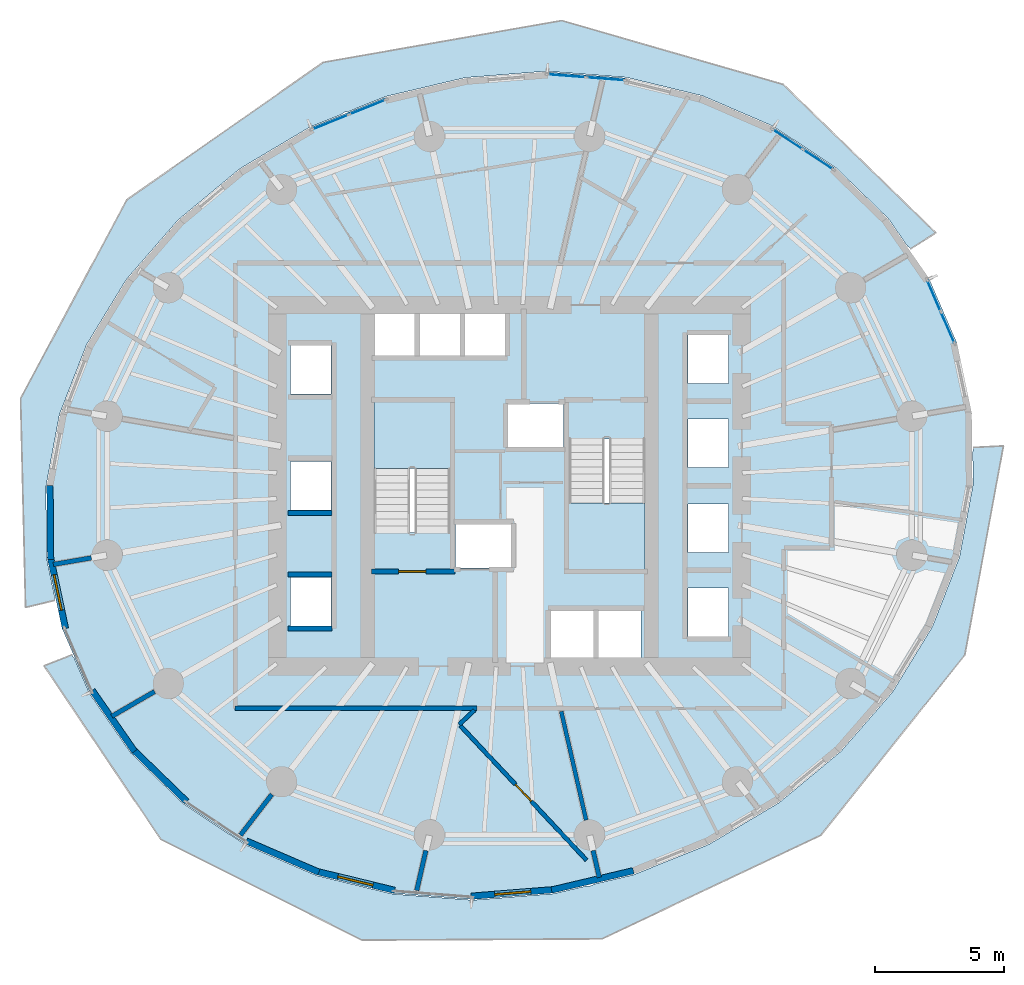
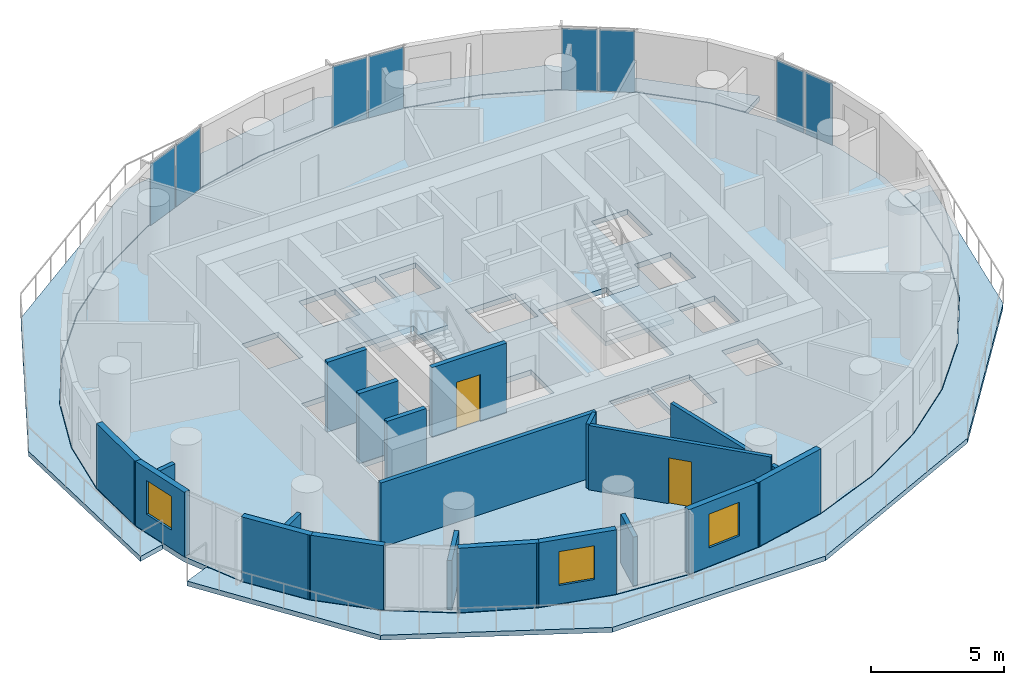
# One storey, part 6 of 14: 21 walls, 8 plates, 5 slabs, 3 windows, 2 doors, 5 openings, 6 elements without a shape of their own.
"""IFC4 building model written with IfcOpenShell, lengths in metres."""

from ifc_helpers import new_model, si_unit, direction, frame, frame_2d, origin, origin_2d, place, context, subcontext, project, spatial, polyline, rectangle, outline, extrude, material, layer, layer_set, type_object, element, fill, aggregate, save


model = new_model("IFC4")

# Units and contexts
model_context = context("Model", 3, precision=1e-05, world=origin(), true_north=direction((0.0, 1.0)))
body_context = subcontext(model_context, "Body", "Model", "MODEL_VIEW")
ifc_project = project(units=[si_unit("LENGTHUNIT", "METRE"), si_unit("AREAUNIT", "SQUARE_METRE"), si_unit("VOLUMEUNIT", "CUBIC_METRE"), si_unit("PLANEANGLEUNIT", "RADIAN"), si_unit("MASSUNIT", "GRAM", prefix="KILO")], contexts=[model_context])

# Site, building, storey
site_placement = place(None, origin())
site = spatial("IfcSite", under=ifc_project, at=site_placement, CompositionType="ELEMENT")
building_placement = place(site_placement, origin())
building = spatial("IfcBuilding", under=site, at=building_placement, Name="Veldorim Arch Residences", CompositionType="ELEMENT")
storey_placement = place(building_placement, frame((0.0, 0.0, 77.280029296875)))
storey = spatial("IfcBuildingStorey", under=building, at=storey_placement, Name="L22", CompositionType="ELEMENT", Elevation=77.280029296875)

# Slabs
ifc_material_1 = material(Name="Concrete C40/50", Category="concrete")
ifc_layer_1 = layer(ifc_material_1, 0.219970703125, Name="Planted Crescent Cantilever Balcony Slab 220")
ifc_layer_set_1 = layer_set([ifc_layer_1], Name="Concrete C40/50")
slab_type_1 = type_object("IfcSlabType", Name="Planted Crescent Cantilever Balcony Slab 220", PredefinedType="FLOOR", material=ifc_layer_set_1)
slab_1_placement = place(storey_placement, frame((0.0, 0.0, -0.219970703125)))
element("IfcSlab", 1, at=slab_1_placement, inside=storey, type_object=slab_type_1, Name="L22 planted crescent balcony slab A", PredefinedType="FLOOR", context=body_context, shape_type="SweptSolid", body=[
    extrude(outline(polyline([(47.413818359375, 33.292236328125), (46.6796875, 34.348876953125), (44.642333984375, 36.324462890625), (42.220703125, 37.925537109375), (39.489013671875, 39.103271484375), (36.529541015625, 39.822265625), (33.432861328125, 40.060302734375), (30.292724609375, 39.810791015625), (27.204345703125, 39.0810546875), (25.777099609375, 38.5048828125), (25.603271484375, 38.47216796875), (25.46630859375, 38.37939453125), (24.261962890625, 37.89306640625), (21.55419921875, 36.283203125), (19.163818359375, 34.300048828125), (17.163330078125, 32.004150390625), (15.61328125, 29.464599609375), (14.561279296875, 26.759033203125), (14.039306640625, 23.969482421875), (14.06298828125, 21.180419921875), (14.369384765625, 19.72412109375), (14.36279296875, 19.554443359375), (13.2451171875, 19.28369140625), (13.0537109375, 27.373046875), (17.167236328125, 35.07666015625), (24.781494140625, 40.40478515625), (34.025634765625, 42.0234375), (42.614013671875, 39.547119140625), (48.51513671875, 33.797119140625), (47.544677734375, 33.18017578125), (47.413818359375, 33.292236328125)])), origin(), (0.0, 0.0, 1.0), 0.219970703125),
])
slab_2_placement = place(storey_placement, frame((0.0, 0.0, -0.219970703125)))
element("IfcSlab", 2, at=slab_2_placement, inside=storey, type_object=slab_type_1, Name="L22 planted crescent balcony slab B", PredefinedType="FLOOR", context=body_context, shape_type="SweptSolid", body=[
    extrude(outline(polyline([(15.137939453125, 17.307373046875), (15.728759765625, 15.941650390625), (17.3203125, 13.651123046875), (19.357666015625, 11.675537109375), (21.779296875, 10.074462890625), (24.510986328125, 8.896728515625), (27.470458984375, 8.177734375), (30.567138671875, 7.939697265625), (33.707275390625, 8.189208984375), (34.971435546875, 8.488037109375), (35.13671875, 8.4912109375), (35.297607421875, 8.56494140625), (36.795654296875, 8.9189453125), (39.738037109375, 10.10693359375), (42.44580078125, 11.716796875), (44.836181640625, 13.699951171875), (46.836669921875, 15.995849609375), (48.38671875, 18.535400390625), (49.438720703125, 21.240966796875), (49.960693359375, 24.030517578125), (49.949951171875, 25.316650390625), (49.991943359375, 25.48388671875), (51.140380859375, 25.540771484375), (49.64404296875, 17.438720703125), (44.0634765625, 10.456787109375), (35.582275390625, 6.43896484375), (26.2890625, 6.390869140625), (18.4814453125, 10.303466796875), (13.965576171875, 17.017578125), (15.0341796875, 17.442138671875), (15.137939453125, 17.307373046875)])), origin(), (0.0, 0.0, 1.0), 0.219970703125),
])

# Stair, slab
ifc_material_2 = material(Name="Concrete C40/50", Category="concrete")
stair_type = type_object("IfcStairType", Name="Reinforced Concrete Dogleg Exit Staircase", PredefinedType="HALF_TURN_STAIR", material=ifc_material_2)
stair_1_placement = place(storey_placement, origin())
stair_1 = element("IfcStair", 3, at=stair_1_placement, inside=storey, type_object=stair_type, Name="L22 Exit Staircase ST-1", PredefinedType="HALF_TURN_STAIR")
ifc_material_3 = material(Name="Concrete C40/50", Category="concrete")
ifc_layer_2 = layer(ifc_material_3, 0.199951171875, Name="Reinforced Concrete Stair Landing 200")
ifc_layer_set_2 = layer_set([ifc_layer_2], Name="Concrete C40/50")
slab_type_2 = type_object("IfcSlabType", Name="Reinforced Concrete Stair Landing 200", PredefinedType="LANDING", material=ifc_layer_set_2)
slab_3_placement = place(storey_placement, frame((0.0, 0.0, 1.39990234375)))
slab_3 = element("IfcSlab", 4, at=slab_3_placement, type_object=slab_type_2, Name="ST-1 landing 1", PredefinedType="LANDING", context=body_context, shape_type="SweptSolid", body=[
    extrude(outline(polyline([(29.7099609375, 24.669921875), (29.7099609375, 27.25), (26.75, 27.25), (26.75, 24.669921875), (29.7099609375, 24.669921875)])), origin(), (0.0, 0.0, 1.0), 0.199951171875),
])
aggregate(stair_1, [slab_3])

stair_2_placement = place(storey_placement, origin())
stair_2 = element("IfcStair", 5, at=stair_2_placement, inside=storey, type_object=stair_type, Name="L22 Exit Staircase ST-2", PredefinedType="HALF_TURN_STAIR")
slab_4_placement = place(storey_placement, frame((0.0, 0.0, 1.39990234375)))
slab_4 = element("IfcSlab", 6, at=slab_4_placement, type_object=slab_type_2, Name="ST-2 landing 1", PredefinedType="LANDING", context=body_context, shape_type="SweptSolid", body=[
    extrude(outline(polyline([(34.2900390625, 23.330078125), (34.2900390625, 20.75), (37.25, 20.75), (37.25, 23.330078125), (34.2900390625, 23.330078125)])), origin(), (0.0, 0.0, 1.0), 0.199951171875),
])
aggregate(stair_2, [slab_4])

# Slab
ifc_material_4 = material(Name="Concrete C40/50", Category="concrete")
ifc_layer_3 = layer(ifc_material_4, 0.239990234375, Name="Typical Residential Floor Slab 240")
ifc_layer_set_3 = layer_set([ifc_layer_3], Name="Concrete C40/50")
slab_type_3 = type_object("IfcSlabType", Name="Typical Residential Floor Slab 240", PredefinedType="FLOOR", material=ifc_layer_set_3)
slab_5_placement = place(storey_placement, frame((0.0, 0.0, -0.239990234375)))
element("IfcSlab", 7, at=slab_5_placement, inside=storey, type_object=slab_type_3, Name="L22 tower structural floor slab", PredefinedType="FLOOR", context=body_context, shape_type="SweptSolid", body=[
    extrude(outline(polyline([(49.34423828125, 29.51513671875), (48.249267578125, 32.046142578125), (46.66064453125, 34.33251953125), (44.626708984375, 36.304931640625), (42.208740234375, 37.9033203125), (39.48095703125, 39.07958984375), (36.525634765625, 39.79736328125), (33.432861328125, 40.035400390625), (30.296630859375, 39.785888671875), (27.2119140625, 39.05712890625), (24.27294921875, 37.87060546875), (21.568603515625, 36.2626953125), (19.181396484375, 34.2822265625), (17.18359375, 31.9892578125), (15.635986328125, 29.45361328125), (14.58544921875, 26.752197265625), (14.064208984375, 23.96728515625), (14.087890625, 21.18310546875), (14.65576171875, 18.48486328125), (15.750732421875, 15.953857421875), (17.33935546875, 13.66748046875), (19.373291015625, 11.695068359375), (21.791259765625, 10.0966796875), (24.51904296875, 8.92041015625), (27.474365234375, 8.20263671875), (30.567138671875, 7.964599609375), (33.703369140625, 8.214111328125), (36.7880859375, 8.94287109375), (39.72705078125, 10.12939453125), (42.431396484375, 11.7373046875), (44.818603515625, 13.7177734375), (46.81640625, 16.0107421875), (48.364013671875, 18.54638671875), (49.41455078125, 21.247802734375), (49.935791015625, 24.03271484375), (49.912109375, 26.81689453125), (49.34423828125, 29.51513671875)]), holes=[polyline([(23.510009765625, 20.43994140625), (25.090087890625, 20.43994140625), (25.090087890625, 18.56005859375), (23.510009765625, 18.56005859375), (23.510009765625, 20.43994140625)]), polyline([(29.909912109375, 22.544921875), (32.090087890625, 22.544921875), (32.090087890625, 20.81494140625), (29.909912109375, 20.81494140625), (29.909912109375, 22.544921875)]), polyline([(23.510009765625, 24.93994140625), (25.090087890625, 24.93994140625), (25.090087890625, 23.06005859375), (23.510009765625, 23.06005859375), (23.510009765625, 24.93994140625)]), polyline([(26.75, 27.25), (29.7099609375, 27.25), (29.7099609375, 22.195068359375), (26.75, 22.195068359375), (26.75, 27.25)]), polyline([(23.510009765625, 29.43994140625), (25.090087890625, 29.43994140625), (25.090087890625, 27.56005859375), (23.510009765625, 27.56005859375), (23.510009765625, 29.43994140625)]), polyline([(26.760009765625, 30.7900390625), (28.340087890625, 30.7900390625), (28.340087890625, 28.909912109375), (26.760009765625, 28.909912109375), (26.760009765625, 30.7900390625)]), polyline([(28.510009765625, 30.7900390625), (30.090087890625, 30.7900390625), (30.090087890625, 28.909912109375), (28.510009765625, 28.909912109375), (28.510009765625, 30.7900390625)]), polyline([(30.260009765625, 30.7900390625), (31.840087890625, 30.7900390625), (31.840087890625, 28.909912109375), (30.260009765625, 28.909912109375), (30.260009765625, 30.7900390625)]), polyline([(33.610107421875, 19.2900390625), (35.2900390625, 19.2900390625), (35.2900390625, 17.2099609375), (33.610107421875, 17.2099609375), (33.610107421875, 19.2900390625)]), polyline([(35.409912109375, 19.2900390625), (37.090087890625, 19.2900390625), (37.090087890625, 17.2099609375), (35.409912109375, 17.2099609375), (35.409912109375, 19.2900390625)]), polyline([(38.909912109375, 20.0400390625), (40.489990234375, 20.0400390625), (40.489990234375, 18.159912109375), (38.909912109375, 18.159912109375), (38.909912109375, 20.0400390625)]), polyline([(38.909912109375, 23.2900390625), (40.489990234375, 23.2900390625), (40.489990234375, 21.409912109375), (38.909912109375, 21.409912109375), (38.909912109375, 23.2900390625)]), polyline([(34.2900390625, 25.804931640625), (37.25, 25.804931640625), (37.25, 20.75), (34.2900390625, 20.75), (34.2900390625, 25.804931640625)]), polyline([(38.909912109375, 26.590087890625), (40.489990234375, 26.590087890625), (40.489990234375, 24.7099609375), (38.909912109375, 24.7099609375), (38.909912109375, 26.590087890625)]), polyline([(31.909912109375, 27.18505859375), (34.090087890625, 27.18505859375), (34.090087890625, 25.455078125), (31.909912109375, 25.455078125), (31.909912109375, 27.18505859375)]), polyline([(38.909912109375, 29.840087890625), (40.489990234375, 29.840087890625), (40.489990234375, 27.9599609375), (38.909912109375, 27.9599609375), (38.909912109375, 29.840087890625)])]), origin(), (0.0, 0.0, 1.0), 0.239990234375),
])

# Curtain wall, plates
ifc_material_5 = material(Name="Aluminium", Category="aluminium")
curtain_wall_type = type_object("IfcCurtainWallType", Name="Zone 2 Solar-Control Unitised Curtain Wall", PredefinedType="NOTDEFINED", material=ifc_material_5)
curtain_wall_1_placement = place(storey_placement, origin())
curtain_wall_1 = element("IfcCurtainWall", 8, at=curtain_wall_1_placement, inside=storey, type_object=curtain_wall_type, Name="L22 unitised curtain wall bay 01", PredefinedType="NOTDEFINED")
ifc_material_6 = material(Name="Laminated Low-E Glass", Category="glass")
ifc_layer_4 = layer(ifc_material_6, 0.02587890625, Name="Zone 2 Solar-Control Unitised Curtain Wall Glazing Panel 26")
ifc_layer_set_4 = layer_set([ifc_layer_4], Name="Laminated Low-E Glass")
plate_type = type_object("IfcPlateType", Name="Zone 2 Solar-Control Unitised Curtain Wall Glazing Panel 26", PredefinedType="CURTAIN_PANEL", material=ifc_layer_set_4)
plate_1_placement = place(storey_placement, frame((48.44677734375, 31.36279296875, 0.06494140625), z_axis=(0.0, 0.0, 1.0), x_axis=(0.397050688615, -0.917796682643, 0.0)))
plate_1 = element("IfcPlate", 9, at=plate_1_placement, type_object=plate_type, Name="CW-Z2 panel 1.1", PredefinedType="CURTAIN_PANEL", context=body_context, shape_type="SweptSolid", body=[
    extrude(rectangle(XDim=1.28125, YDim=0.02587890625, at=origin_2d()), origin(), (0.0, 0.0, 1.0), 2.830078125),
])
plate_2_placement = place(storey_placement, frame((48.9814453125, 30.127197265625, 0.06494140625), z_axis=(0.0, 0.0, 1.0), x_axis=(0.397050688615, -0.917796682643, 0.0)))
plate_2 = element("IfcPlate", 10, at=plate_2_placement, type_object=plate_type, Name="CW-Z2 panel 2.1", PredefinedType="CURTAIN_PANEL", context=body_context, shape_type="SweptSolid", body=[
    extrude(rectangle(XDim=1.28125, YDim=0.02587890625, at=origin_2d()), origin(), (0.0, 0.0, 1.0), 2.830078125),
])
aggregate(curtain_wall_1, [plate_1, plate_2])

curtain_wall_2_placement = place(storey_placement, origin())
curtain_wall_2 = element("IfcCurtainWall", 11, at=curtain_wall_2_placement, inside=storey, type_object=curtain_wall_type, Name="L22 unitised curtain wall bay 04", PredefinedType="NOTDEFINED")
plate_3_placement = place(storey_placement, frame((42.777099609375, 37.419677734375, 0.06494140625), z_axis=(0.0, 0.0, 1.0), x_axis=(0.834172634224, -0.551503414596, 0.0)))
plate_3 = element("IfcPlate", 12, at=plate_3_placement, type_object=plate_type, Name="CW-Z2 panel 1.1", PredefinedType="CURTAIN_PANEL", context=body_context, shape_type="SweptSolid", body=[
    extrude(rectangle(XDim=1.351806640625, YDim=0.02587890625, at=origin_2d()), origin(), (0.0, 0.0, 1.0), 2.830078125),
])
plate_4_placement = place(storey_placement, frame((43.958984375, 36.638427734375, 0.06494140625), z_axis=(0.0, 0.0, 1.0), x_axis=(0.834172634224, -0.551503414596, 0.0)))
plate_4 = element("IfcPlate", 13, at=plate_4_placement, type_object=plate_type, Name="CW-Z2 panel 2.1", PredefinedType="CURTAIN_PANEL", context=body_context, shape_type="SweptSolid", body=[
    extrude(rectangle(XDim=1.351806640625, YDim=0.02587890625, at=origin_2d()), origin(), (0.0, 0.0, 1.0), 2.830078125),
])
aggregate(curtain_wall_2, [plate_3, plate_4])

curtain_wall_3_placement = place(storey_placement, origin())
curtain_wall_3 = element("IfcCurtainWall", 14, at=curtain_wall_3_placement, inside=storey, type_object=curtain_wall_type, Name="L22 unitised curtain wall bay 07", PredefinedType="NOTDEFINED")
plate_5_placement = place(storey_placement, frame((34.21533203125, 39.884765625, 0.06494140625), z_axis=(0.0, 0.0, 1.0), x_axis=(0.997054485502, -0.076696498885, 0.0)))
plate_5 = element("IfcPlate", 15, at=plate_5_placement, type_object=plate_type, Name="CW-Z2 panel 1.1", PredefinedType="CURTAIN_PANEL", context=body_context, shape_type="SweptSolid", body=[
    extrude(rectangle(XDim=1.453369140625, YDim=0.02587890625, at=origin_2d()), origin(), (0.0, 0.0, 1.0), 2.830078125),
])
plate_6_placement = place(storey_placement, frame((35.729248046875, 39.768310546875, 0.06494140625), z_axis=(0.0, 0.0, 1.0), x_axis=(0.997054485502, -0.076696498885, 0.0)))
plate_6 = element("IfcPlate", 16, at=plate_6_placement, type_object=plate_type, Name="CW-Z2 panel 2.1", PredefinedType="CURTAIN_PANEL", context=body_context, shape_type="SweptSolid", body=[
    extrude(rectangle(XDim=1.453369140625, YDim=0.02587890625, at=origin_2d()), origin(), (0.0, 0.0, 1.0), 2.830078125),
])
aggregate(curtain_wall_3, [plate_5, plate_6])

curtain_wall_4_placement = place(storey_placement, origin())
curtain_wall_4 = element("IfcCurtainWall", 17, at=curtain_wall_4_placement, inside=storey, type_object=curtain_wall_type, Name="L22 unitised curtain wall bay 10", PredefinedType="NOTDEFINED")
plate_7_placement = place(storey_placement, frame((25.056396484375, 38.08984375, 0.06494140625), z_axis=(0.0, 0.0, 1.0), x_axis=(0.927286072366, 0.374353496038, 0.0)))
plate_7 = element("IfcPlate", 18, at=plate_7_placement, type_object=plate_type, Name="CW-Z2 panel 1.1", PredefinedType="CURTAIN_PANEL", context=body_context, shape_type="SweptSolid", body=[
    extrude(rectangle(XDim=1.4873046875, YDim=0.02587890625, at=origin_2d()), origin(), (0.0, 0.0, 1.0), 2.830078125),
])
plate_8_placement = place(storey_placement, frame((26.495849609375, 38.6708984375, 0.06494140625), z_axis=(0.0, 0.0, 1.0), x_axis=(0.927286072366, 0.374353496038, 0.0)))
plate_8 = element("IfcPlate", 19, at=plate_8_placement, type_object=plate_type, Name="CW-Z2 panel 2.1", PredefinedType="CURTAIN_PANEL", context=body_context, shape_type="SweptSolid", body=[
    extrude(rectangle(XDim=1.4873046875, YDim=0.02587890625, at=origin_2d()), origin(), (0.0, 0.0, 1.0), 2.830078125),
])
aggregate(curtain_wall_4, [plate_7, plate_8])

# Walls
ifc_material_7 = material(Name="Lightweight Masonry Block & Gypsum", Category="masonry")
ifc_layer_5 = layer(ifc_material_7, 0.179931640625, Name="Compartment & Corridor Fire-Rated Party Wall 180")
ifc_layer_set_5 = layer_set([ifc_layer_5], Name="Lightweight Masonry Block & Gypsum")
wall_type_1 = type_object("IfcWallType", Name="Compartment & Corridor Fire-Rated Party Wall 180", PredefinedType="PARTITIONING", material=ifc_layer_set_5)
wall_1_placement = place(storey_placement, frame((15.79443359375, 21.202392578125, 0.0), z_axis=(0.0, 0.0, 1.0), x_axis=(-0.985414821555, -0.170169413997, 0.0)))
element("IfcWall", 20, at=wall_1_placement, inside=storey, type_object=wall_type_1, Name="L22 interior wall WL-PIER-L22-09", PredefinedType="PARTITIONING", context=body_context, shape_type="SweptSolid", body=[
    extrude(rectangle(XDim=1.494873046875, YDim=0.179931640625, at=frame_2d((0.74755859375, 0.0))), origin(), (0.0, 0.0, 1.0), 2.26025390625),
])
wall_2_placement = place(storey_placement, frame((18.243408203125, 16.022216796875, 0.0), z_axis=(0.0, 0.0, 1.0), x_axis=(-0.86503562166, -0.501710447628, 0.0)))
element("IfcWall", 21, at=wall_2_placement, inside=storey, type_object=wall_type_1, Name="L22 interior wall WL-PIER-L22-10", PredefinedType="PARTITIONING", context=body_context, shape_type="SweptSolid", body=[
    extrude(rectangle(XDim=1.912353515625, YDim=0.179931640625, at=frame_2d((0.9560546875, 0.0))), origin(), (0.0, 0.0, 1.0), 2.26025390625),
])
wall_3_placement = place(storey_placement, frame((22.7880859375, 12.034423828125, 0.0), z_axis=(0.0, 0.0, 1.0), x_axis=(-0.609995088008, -0.792405194712, 0.0)))
element("IfcWall", 22, at=wall_3_placement, inside=storey, type_object=wall_type_1, Name="L22 interior wall WL-PIER-L22-11", PredefinedType="PARTITIONING", context=body_context, shape_type="SweptSolid", body=[
    extrude(rectangle(XDim=1.991455078125, YDim=0.179931640625, at=frame_2d((0.99560546875, 0.0))), origin(), (0.0, 0.0, 1.0), 2.26025390625),
])
wall_4_placement = place(storey_placement, frame((28.759521484375, 9.86083984375, 0.0), z_axis=(0.0, 0.0, 1.0), x_axis=(-0.223333591652, -0.974742071955, 0.0)))
element("IfcWall", 23, at=wall_4_placement, inside=storey, type_object=wall_type_1, Name="L22 interior wall WL-PIER-L22-12", PredefinedType="PARTITIONING", context=body_context, shape_type="SweptSolid", body=[
    extrude(rectangle(XDim=1.58935546875, YDim=0.179931640625, at=frame_2d((0.794677734375, 0.0))), origin(), (0.0, 0.0, 1.0), 2.26025390625),
])
wall_5_placement = place(storey_placement, frame((35.240478515625, 9.86083984375, 0.0), z_axis=(0.0, 0.0, 1.0), x_axis=(0.223308362472, -0.974747852139, 0.0)))
element("IfcWall", 24, at=wall_5_placement, inside=storey, type_object=wall_type_1, Name="L22 interior wall WL-PIER-L22-13", PredefinedType="PARTITIONING", context=body_context, shape_type="SweptSolid", body=[
    extrude(rectangle(XDim=1.0693359375, YDim=0.179931640625, at=frame_2d((0.53466796875, 0.0))), origin(), (0.0, 0.0, 1.0), 2.26025390625),
])
wall_6_placement = place(storey_placement, frame((30.7373046875, 15.3701171875, 0.0), z_axis=(0.0, 0.0, 1.0), x_axis=(-1.0, 0.0, 0.0)))
element("IfcWall", 25, at=wall_6_placement, inside=storey, type_object=wall_type_1, Name="L22 interior wall WL-RES-L22-010", PredefinedType="PARTITIONING", context=body_context, shape_type="SweptSolid", body=[
    extrude(rectangle(XDim=9.3671875, YDim=0.179931640625, at=frame_2d((4.68359375, 0.0))), origin(), (0.0, 0.0, 1.0), 2.955078125),
])

# Wall, opening, door
ifc_material_8 = material(Name="Concrete C50/60", Category="concrete")
ifc_layer_6 = layer(ifc_material_8, 0.199951171875, Name="Core Stair & Lift Shaft Enclosure Wall 200")
ifc_layer_set_6 = layer_set([ifc_layer_6], Name="Concrete C50/60")
wall_type_2 = type_object("IfcWallType", Name="Core Stair & Lift Shaft Enclosure Wall 200", PredefinedType="SHEAR", material=ifc_layer_set_6)
wall_7_placement = place(storey_placement, frame((26.64990234375, 20.669921875, 0.0), z_axis=(0.0, 0.0, 1.0), x_axis=(1.0, 0.0, 0.0)))
wall_7 = element("IfcWall", 26, at=wall_7_placement, inside=storey, type_object=wall_type_2, Name="L22 shaft wall WL-SHF-L22-ST1-S", PredefinedType="SHEAR", context=body_context, shape_type="SweptSolid", body=[
    extrude(rectangle(XDim=3.239990234375, YDim=0.199951171875, at=frame_2d((1.6201171875, 0.0))), origin(), (0.0, 0.0, 1.0), 3.199951171875),
])
opening_1_placement = place(wall_7_placement, frame((1.054931640625, 0.0, 0.0)))
opening_1 = element("IfcOpeningElement", 27, at=opening_1_placement, cuts=wall_7, Name="Opening DR-ST", PredefinedType="OPENING", context=body_context, shape_type="SweptSolid", body=[
    extrude(rectangle(XDim=1.050048828125, YDim=2.14990234375, at=frame_2d((0.52490234375, 1.074951171875))), frame((0.0, 0.10986328125, 0.0), z_axis=(0.0, -1.0, 0.0), x_axis=(1.0, 0.0, 0.0)), (0.0, 0.0, 1.0), 0.219970703125),
])
ifc_material_9 = material(Name="Fire-Rated Steel", Category="steel")
door_type_1 = type_object("IfcDoorType", Name="Exit Staircase Self-Closing Fire Door 1050x2150", OperationType="SINGLE_SWING_LEFT", PredefinedType="DOOR", material=ifc_material_9)
door_1_placement = place(opening_1_placement, origin())
door_1 = element("IfcDoor", 28, at=door_1_placement, inside=storey, type_object=door_type_1, Name="L22 interior door DR-L22-ST1", OperationType="SINGLE_SWING_LEFT", OverallHeight=2.14990234375, OverallWidth=1.050048828125, PredefinedType="DOOR", context=body_context, shape_type="SweptSolid", body=[
    extrude(rectangle(XDim=1.050048828125, YDim=2.14990234375, at=frame_2d((0.52490234375, 1.074951171875))), frame((0.0, 0.02490234375, 0.0), z_axis=(0.0, -1.0, 0.0), x_axis=(1.0, 0.0, 0.0)), (0.0, 0.0, 1.0), 0.050048828125),
])
fill(opening_1, door_1)

# Walls
for number, where, z_axis, x_axis, name in (
    (29, (23.419921875, 18.4599609375, 0.0), (0.0, 0.0, 1.0), (1.0, 0.0, 0.0), "L22 shaft wall WL-B2-L22-S"),
    (30, (23.419921875, 20.56005859375, 0.0), (0.0, 0.0, 1.0), (1.0, 0.0, 0.0), "L22 shaft wall WL-B2-L22-D1A"),
    (31, (23.419921875, 22.93994140625, 0.0), (0.0, 0.0, 1.0), (1.0, 0.0, 0.0), "L22 shaft wall WL-B2-L22-D1B"),
):
    element("IfcWall", number, at=place(storey_placement, frame(where, z_axis=z_axis, x_axis=x_axis)), inside=storey, type_object=wall_type_2, Name=name, PredefinedType="SHEAR", context=body_context, shape_type="SweptSolid", body=[
        extrude(rectangle(XDim=1.7099609375, YDim=0.199951171875, at=frame_2d((0.85498046875, 0.0))), origin(), (0.0, 0.0, 1.0), 3.199951171875),
    ])
ifc_material_10 = material(Name="Precast concrete C40/50", Category="concrete")
ifc_layer_7 = layer(ifc_material_10, 0.25, Name="Tower Terracotta Spandrel & Pier Wall 250")
ifc_layer_set_7 = layer_set([ifc_layer_7], Name="Precast concrete C40/50")
wall_type_3 = type_object("IfcWallType", Name="Tower Terracotta Spandrel & Pier Wall 250", PredefinedType="SOLIDWALL", material=ifc_layer_set_7)
wall_8_placement = place(storey_placement, frame((14.21337890625, 21.139404296875, 0.0), z_axis=(0.0, 0.0, 1.0), x_axis=(-0.008580093639, 0.999963190319, 0.0)))
element("IfcWall", 32, at=wall_8_placement, inside=storey, type_object=wall_type_3, Name="L22 terracotta facade wall 17", PredefinedType="SOLIDWALL", context=body_context, shape_type="SweptSolid", body=[
    extrude(rectangle(XDim=2.873779296875, YDim=0.25, at=frame_2d((1.43701171875, 0.0))), origin(), (0.0, 0.0, 1.0), 2.9599609375),
])

# Wall, opening, window
wall_9_placement = place(storey_placement, frame((14.787353515625, 18.466552734375, 0.0), z_axis=(0.0, 0.0, 1.0), x_axis=(-0.205949984324, 0.978562519187, 0.0)))
wall_9 = element("IfcWall", 33, at=wall_9_placement, inside=storey, type_object=wall_type_3, Name="L22 terracotta facade wall 18", PredefinedType="SOLIDWALL", context=body_context, shape_type="SweptSolid", body=[
    extrude(rectangle(XDim=2.847412109375, YDim=0.25, at=frame_2d((1.423828125, 0.0))), origin(), (0.0, 0.0, 1.0), 2.9599609375),
])
opening_2_placement = place(wall_9_placement, frame((0.72412109375, 0.0, 0.85009765625)))
opening_2 = element("IfcOpeningElement", 34, at=opening_2_placement, cuts=wall_9, Name="Opening WN-02", PredefinedType="OPENING", context=body_context, shape_type="SweptSolid", body=[
    extrude(rectangle(XDim=1.39990234375, YDim=1.550048828125, at=frame_2d((0.699951171875, 0.77490234375))), frame((0.0, 0.135009765625, 0.0), z_axis=(0.0, -1.0, 0.0), x_axis=(1.0, 0.0, 0.0)), (0.0, 0.0, 1.0), 0.27001953125),
])
ifc_material_11 = material(Name="Laminated Low-E Glass", Category="glass")
window_type = type_object("IfcWindowType", Name="Residential Casement Window 1400x1550", PartitioningType="SINGLE_PANEL", PredefinedType="WINDOW", material=ifc_material_11)
window_1_placement = place(opening_2_placement, origin())
window_1 = element("IfcWindow", 35, at=window_1_placement, inside=storey, type_object=window_type, Name="L22 solar-control facade window 18", OverallHeight=1.550048828125, OverallWidth=1.39990234375, PartitioningType="SINGLE_PANEL", PredefinedType="WINDOW", context=body_context, shape_type="SweptSolid", body=[
    extrude(rectangle(XDim=1.39990234375, YDim=1.550048828125, at=frame_2d((0.699951171875, 0.77490234375))), frame((0.0, 0.030029296875, 0.0), z_axis=(0.0, -1.0, 0.0), x_axis=(1.0, 0.0, 0.0)), (0.0, 0.0, 1.0), 0.06005859375),
])
fill(opening_2, window_1)

# Walls
wall_10_placement = place(storey_placement, frame((17.467529296875, 13.701904296875, 0.0), z_axis=(0.0, 0.0, 1.0), x_axis=(-0.570574087236, 0.821246133005, 0.0)))
element("IfcWall", 36, at=wall_10_placement, inside=storey, type_object=wall_type_3, Name="L22 terracotta facade wall 20", PredefinedType="SOLIDWALL", context=body_context, shape_type="SweptSolid", body=[
    extrude(rectangle(XDim=2.8740234375, YDim=0.25, at=frame_2d((1.43701171875, 0.0))), origin(), (0.0, 0.0, 1.0), 2.9599609375),
])
wall_11_placement = place(storey_placement, frame((19.49267578125, 11.75341796875, 0.0), z_axis=(0.0, 0.0, 1.0), x_axis=(-0.717880157086, 0.696166704219, 0.0)))
element("IfcWall", 37, at=wall_11_placement, inside=storey, type_object=wall_type_3, Name="L22 terracotta facade wall 21", PredefinedType="SOLIDWALL", context=body_context, shape_type="SweptSolid", body=[
    extrude(rectangle(XDim=2.92333984375, YDim=0.25, at=frame_2d((1.461669921875, 0.0))), origin(), (0.0, 0.0, 1.0), 2.9599609375),
])
wall_12_placement = place(storey_placement, frame((24.60986328125, 9.017578125, 0.0), z_axis=(0.0, 0.0, 1.0), x_axis=(-0.91829708806, 0.395891977766, 0.0)))
element("IfcWall", 38, at=wall_12_placement, inside=storey, type_object=wall_type_3, Name="L22 terracotta facade wall 23", PredefinedType="SOLIDWALL", context=body_context, shape_type="SweptSolid", body=[
    extrude(rectangle(XDim=3.060546875, YDim=0.25, at=frame_2d((1.5302734375, 0.0))), origin(), (0.0, 0.0, 1.0), 2.9599609375),
])

# Wall, opening, window
wall_13_placement = place(storey_placement, frame((27.547607421875, 8.3134765625, 0.0), z_axis=(0.0, 0.0, 1.0), x_axis=(-0.971748850292, 0.236017312833, 0.0)))
wall_13 = element("IfcWall", 39, at=wall_13_placement, inside=storey, type_object=wall_type_3, Name="L22 terracotta facade wall 24", PredefinedType="SOLIDWALL", context=body_context, shape_type="SweptSolid", body=[
    extrude(rectangle(XDim=3.131103515625, YDim=0.25, at=frame_2d((1.5654296875, 0.0))), origin(), (0.0, 0.0, 1.0), 2.9599609375),
])
opening_3_placement = place(wall_13_placement, frame((0.865966796875, 0.0, 0.85009765625)))
opening_3 = element("IfcOpeningElement", 40, at=opening_3_placement, cuts=wall_13, Name="Opening WN-02", PredefinedType="OPENING", context=body_context, shape_type="SweptSolid", body=[
    extrude(rectangle(XDim=1.39990234375, YDim=1.550048828125, at=frame_2d((0.699951171875, 0.77490234375))), frame((0.0, 0.135009765625, 0.0), z_axis=(0.0, -1.0, 0.0), x_axis=(1.0, 0.0, 0.0)), (0.0, 0.0, 1.0), 0.27001953125),
])
window_2_placement = place(opening_3_placement, origin())
window_2 = element("IfcWindow", 41, at=window_2_placement, inside=storey, type_object=window_type, Name="L22 solar-control facade window 24", OverallHeight=1.550048828125, OverallWidth=1.39990234375, PartitioningType="SINGLE_PANEL", PredefinedType="WINDOW", context=body_context, shape_type="SweptSolid", body=[
    extrude(rectangle(XDim=1.39990234375, YDim=1.550048828125, at=frame_2d((0.699951171875, 0.77490234375))), frame((0.0, 0.030029296875, 0.0), z_axis=(0.0, -1.0, 0.0), x_axis=(1.0, 0.0, 0.0)), (0.0, 0.0, 1.0), 0.06005859375),
])
fill(opening_3, window_2)

wall_14_placement = place(storey_placement, frame((33.73828125, 8.34228515625, 0.0), z_axis=(0.0, 0.0, 1.0), x_axis=(-0.996851873062, -0.079286462736, 0.0)))
wall_14 = element("IfcWall", 42, at=wall_14_placement, inside=storey, type_object=wall_type_3, Name="L22 terracotta facade wall 26", PredefinedType="SOLIDWALL", context=body_context, shape_type="SweptSolid", body=[
    extrude(rectangle(XDim=3.236328125, YDim=0.25, at=frame_2d((1.6181640625, 0.0))), origin(), (0.0, 0.0, 1.0), 2.9599609375),
])
opening_4_placement = place(wall_14_placement, frame((0.91796875, 0.0, 0.85009765625)))
opening_4 = element("IfcOpeningElement", 43, at=opening_4_placement, cuts=wall_14, Name="Opening WN-02", PredefinedType="OPENING", context=body_context, shape_type="SweptSolid", body=[
    extrude(rectangle(XDim=1.39990234375, YDim=1.550048828125, at=frame_2d((0.699951171875, 0.77490234375))), frame((0.0, 0.135009765625, 0.0), z_axis=(0.0, -1.0, 0.0), x_axis=(1.0, 0.0, 0.0)), (0.0, 0.0, 1.0), 0.27001953125),
])
window_3_placement = place(opening_4_placement, origin())
window_3 = element("IfcWindow", 44, at=window_3_placement, inside=storey, type_object=window_type, Name="L22 solar-control facade window 26", OverallHeight=1.550048828125, OverallWidth=1.39990234375, PartitioningType="SINGLE_PANEL", PredefinedType="WINDOW", context=body_context, shape_type="SweptSolid", body=[
    extrude(rectangle(XDim=1.39990234375, YDim=1.550048828125, at=frame_2d((0.699951171875, 0.77490234375))), frame((0.0, 0.030029296875, 0.0), z_axis=(0.0, -1.0, 0.0), x_axis=(1.0, 0.0, 0.0)), (0.0, 0.0, 1.0), 0.06005859375),
])
fill(opening_4, window_3)

# Walls
wall_15_placement = place(storey_placement, frame((36.802978515625, 9.074951171875, 0.0), z_axis=(0.0, 0.0, 1.0), x_axis=(-0.973185832187, -0.230020294824, 0.0)))
element("IfcWall", 45, at=wall_15_placement, inside=storey, type_object=wall_type_3, Name="L22 terracotta facade wall 27", PredefinedType="SOLIDWALL", context=body_context, shape_type="SweptSolid", body=[
    extrude(rectangle(XDim=3.259521484375, YDim=0.25, at=frame_2d((1.6298828125, 0.0))), origin(), (0.0, 0.0, 1.0), 2.9599609375),
])
ifc_material_12 = material(Name="Moisture-Resistant Gypsum & Stud", Category="gypsum")
ifc_layer_8 = layer(ifc_material_12, 0.159912109375, Name="Wet-Area Moisture-Resistant Plumbing Wall 160")
ifc_layer_set_8 = layer_set([ifc_layer_8], Name="Moisture-Resistant Gypsum & Stud")
wall_type_4 = type_object("IfcWallType", Name="Wet-Area Moisture-Resistant Plumbing Wall 160", PredefinedType="PLUMBINGWALL", material=ifc_layer_set_8)
wall_16_placement = place(storey_placement, frame((34.969970703125, 11.04052734375, 0.0), z_axis=(0.0, 0.0, 1.0), x_axis=(-0.223373919899, 0.974732831041, 0.0)))
element("IfcWall", 46, at=wall_16_placement, inside=storey, type_object=wall_type_4, Name="L22 interior wall WL-RES-L22-016", PredefinedType="PLUMBINGWALL", context=body_context, shape_type="SweptSolid", body=[
    extrude(rectangle(XDim=4.321533203125, YDim=0.159912109375, at=frame_2d((2.16064453125, 0.0))), origin(), (0.0, 0.0, 1.0), 2.26025390625),
])
wall_17_placement = place(storey_placement, frame((30.644287109375, 15.301513671875, 0.0), z_axis=(0.0, 0.0, 1.0), x_axis=(-0.729106643291, -0.684400104258, 0.0)))
element("IfcWall", 47, at=wall_17_placement, inside=storey, type_object=wall_type_4, Name="L22 interior wall WL-RES-L22-028", PredefinedType="PLUMBINGWALL", context=body_context, shape_type="SweptSolid", body=[
    extrude(rectangle(XDim=0.813720703125, YDim=0.159912109375, at=frame_2d((0.40673828125, 0.0))), origin(), (0.0, 0.0, 1.0), 2.955078125),
])

# Wall, opening, door
wall_18_placement = place(storey_placement, frame((30.092041015625, 14.700927734375, 0.0), z_axis=(0.0, 0.0, 1.0), x_axis=(0.684298573407, -0.729201935292, 0.0)))
wall_18 = element("IfcWall", 48, at=wall_18_placement, inside=storey, type_object=wall_type_4, Name="L22 interior wall WL-RES-L22-029", PredefinedType="PLUMBINGWALL", context=body_context, shape_type="SweptSolid", body=[
    extrude(rectangle(XDim=7.155029296875, YDim=0.159912109375, at=frame_2d((3.57763671875, 0.0))), origin(), (0.0, 0.0, 1.0), 2.955078125),
])
opening_5_placement = place(wall_18_placement, frame((3.127685546875, 0.0, 0.0)))
opening_5 = element("IfcOpeningElement", 49, at=opening_5_placement, cuts=wall_18, Name="Opening DR-WC", PredefinedType="OPENING", context=body_context, shape_type="SweptSolid", body=[
    extrude(rectangle(XDim=0.89990234375, YDim=2.10009765625, at=frame_2d((0.449951171875, 1.050048828125))), frame((0.0, 0.08984375, 0.0), z_axis=(0.0, -1.0, 0.0), x_axis=(1.0, 0.0, 0.0)), (0.0, 0.0, 1.0), 0.179931640625),
])
ifc_material_13 = material(Name="Laminate Timber", Category="wood")
door_type_2 = type_object("IfcDoorType", Name="Bathroom & Accessible WC Moisture-Sealed Door 900x2100", OperationType="SINGLE_SWING_LEFT", PredefinedType="DOOR", material=ifc_material_13)
door_2_placement = place(opening_5_placement, origin())
door_2 = element("IfcDoor", 50, at=door_2_placement, inside=storey, type_object=door_type_2, Name="L22 interior door DR-RES-L22-016", OperationType="SINGLE_SWING_RIGHT", OverallHeight=2.10009765625, OverallWidth=0.89990234375, PredefinedType="DOOR", context=body_context, shape_type="SweptSolid", body=[
    extrude(rectangle(XDim=0.89990234375, YDim=2.10009765625, at=frame_2d((0.449951171875, 1.050048828125))), frame((0.0, 0.02490234375, 0.0), z_axis=(0.0, -1.0, 0.0), x_axis=(1.0, 0.0, 0.0)), (0.0, 0.0, 1.0), 0.050048828125),
])
fill(opening_5, door_2)

save(model, "model.ifc")
